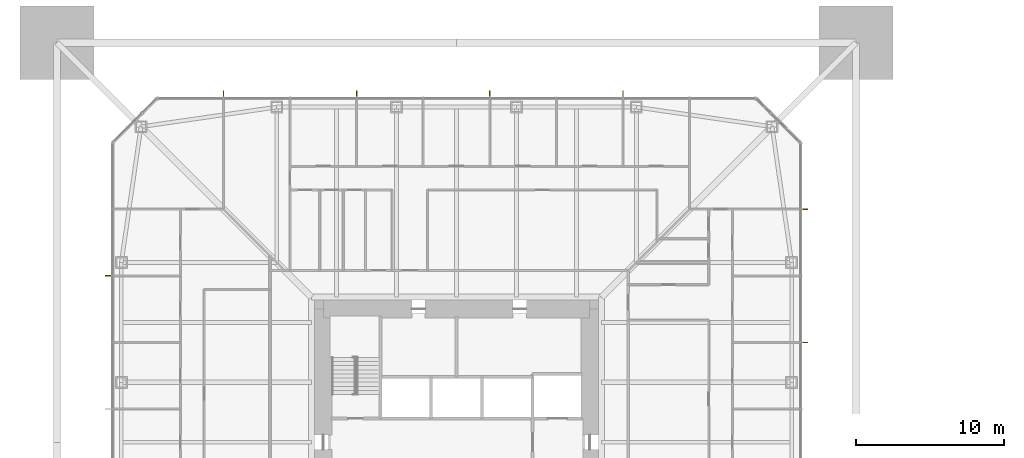
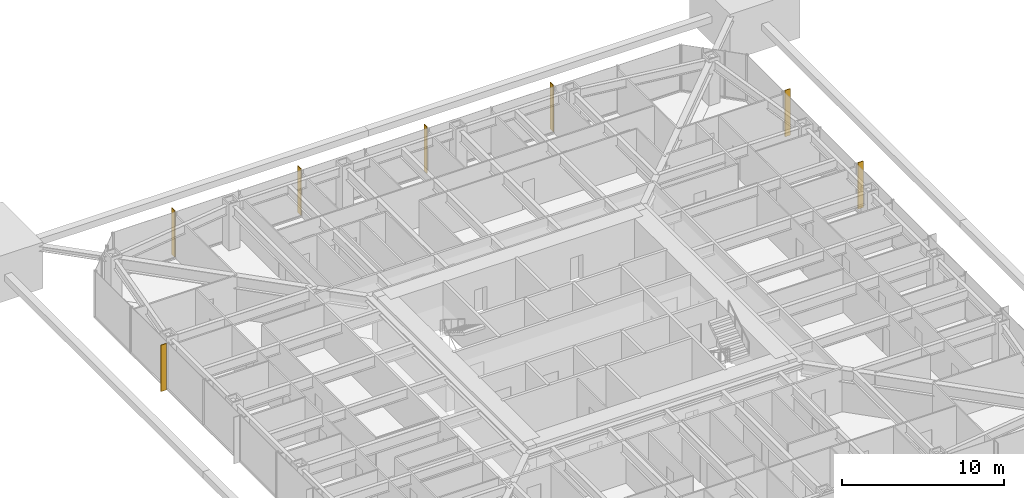
# One storey, part 26 of 27: 7 shading devices.
"""IFC4 building model written with IfcOpenShell, lengths in metres."""

import ifcopenshell
import ifcopenshell.guid

model = None  # the IFC model being written
_history = None  # IfcOwnerHistory: only IFC2X3 demands one
_inside = {}  # id of a spatial element -> (the spatial element, [elements in it])
_under = {}  # id of a project, library or spatial element -> (it, [spatial elements below it])
_declared = {}  # id of a project -> (the project, [libraries it declares])
_typed = {}  # id of a type object -> (the type object, [elements of that type])
_made_of = {}  # id of a material, layer set ... -> (it, [elements and type objects made of it])


def new_model(schema):
    """Start an empty IFC model of exactly this schema.

    Asked for "IFC4X3", IfcOpenShell would pick the latest addendum, in which some entities
    have other attributes; the version numbers below select the first issue.
    IFC2X3 requires an IfcOwnerHistory on every rooted entity: one is made here for all.
    """
    global model, _history
    if schema == "IFC4X3":
        model = ifcopenshell.file(schema_version=(4, 3, 0, 0))
    else:
        model = ifcopenshell.file(schema=schema)
    _inside.clear()
    _under.clear()
    _declared.clear()
    _typed.clear()
    _made_of.clear()
    _history = None
    if model.schema == "IFC2X3":
        org = make("IfcOrganization", Name="unknown")
        user = make(
            "IfcPersonAndOrganization",
            ThePerson=make("IfcPerson", FamilyName="unknown"),
            TheOrganization=org,
        )
        app = make(
            "IfcApplication",
            ApplicationDeveloper=org,
            Version="unknown",
            ApplicationFullName="unknown",
            ApplicationIdentifier="unknown",
        )
        _history = make(
            "IfcOwnerHistory",
            OwningUser=user,
            OwningApplication=app,
            ChangeAction="ADDED",
            CreationDate=0,
        )
    return model


def make(cls, **values):
    """One entity of the class cls with the attributes given. An attribute that is None is left unset."""
    return model.create_entity(
        cls, **{name: value for name, value in values.items() if value is not None}
    )


def rooted(cls, **values):
    """An entity with a GlobalId (a new one), such as an element, a storey or a relation."""
    return make(cls, GlobalId=ifcopenshell.guid.new(), OwnerHistory=_history, **values)


def si_unit(unit_type, name, prefix=None):
    """IfcSIUnit, for example si_unit("LENGTHUNIT", "METRE", prefix="MILLI")."""
    return make("IfcSIUnit", UnitType=unit_type, Prefix=prefix, Name=name)


def assignment(units):
    """IfcUnitAssignment: the units of a project."""
    return None if units is None else make("IfcUnitAssignment", Units=units)


def point(xyz):
    """IfcCartesianPoint."""
    return None if xyz is None else make("IfcCartesianPoint", Coordinates=xyz)


def direction(xyz):
    """IfcDirection."""
    return None if xyz is None else make("IfcDirection", DirectionRatios=xyz)


def frame(location, z_axis=None, x_axis=None):
    """IfcAxis2Placement3D, a coordinate frame: its origin and axes. An axis left out is left unset."""
    return make(
        "IfcAxis2Placement3D",
        Location=point(location),
        Axis=direction(z_axis),
        RefDirection=direction(x_axis),
    )


def frame_2d(location, x_axis=None):
    """IfcAxis2Placement2D, a coordinate frame in the plane: its origin and x axis."""
    return make(
        "IfcAxis2Placement2D", Location=point(location), RefDirection=direction(x_axis)
    )


def origin():
    """The frame at (0, 0, 0) with its axes left unset."""
    return frame((0.0, 0.0, 0.0))


def origin_2d():
    """The frame at (0, 0) in the plane with its x axis left unset."""
    return frame_2d((0.0, 0.0))


def place(relative_to, where):
    """IfcLocalPlacement: puts the frame where relative to a parent placement (None: the world)."""
    return make(
        "IfcLocalPlacement", PlacementRelTo=relative_to, RelativePlacement=where
    )


def context(
    kind, dimensions, precision=None, world=None, true_north=None, identifier=None
):
    """IfcGeometricRepresentationContext, for example the 3D "Model" context."""
    return make(
        "IfcGeometricRepresentationContext",
        ContextIdentifier=identifier,
        ContextType=kind,
        CoordinateSpaceDimension=dimensions,
        Precision=precision,
        WorldCoordinateSystem=world,
        TrueNorth=true_north,
    )


def subcontext(parent, identifier, kind, view, scale=None):
    """IfcGeometricRepresentationSubContext, for example "Body" below "Model"."""
    return make(
        "IfcGeometricRepresentationSubContext",
        ContextIdentifier=identifier,
        ContextType=kind,
        ParentContext=parent,
        TargetScale=scale,
        TargetView=view,
    )


def project(units=None, contexts=None):
    """IfcProject with its units and contexts."""
    return rooted(
        "IfcProject",
        Name="project",
        RepresentationContexts=contexts,
        UnitsInContext=assignment(units),
    )


def spatial(cls, under=None, at=None, **own):
    """A site, building, storey or space (cls), placed at a placement, below another one or the project."""
    s = rooted(cls, ObjectPlacement=at, **own)
    if under is not None:
        _under.setdefault(under.id(), (under, []))[1].append(s)
    return s


def profile(cls, at=None, kind="AREA", **sizes):
    """A parametric profile (cls). Its sizes go by their IFC names, for example OverallWidth=200.0."""
    return make(cls, ProfileType=kind, Position=at, **sizes)


def rectangle(**sizes):
    """IfcRectangleProfileDef."""
    return profile("IfcRectangleProfileDef", **sizes)


def extrude(swept, where, along, depth):
    """IfcExtrudedAreaSolid: the profile swept, set in the frame where, extruded along a direction by depth."""
    return make(
        "IfcExtrudedAreaSolid",
        SweptArea=swept,
        Position=where,
        ExtrudedDirection=direction(along),
        Depth=depth,
    )


def shape(context_of_items, identifier, shape_type, items):
    """IfcShapeRepresentation: the items that make up one representation, for example the "Body"."""
    return make(
        "IfcShapeRepresentation",
        ContextOfItems=context_of_items,
        RepresentationIdentifier=identifier,
        RepresentationType=shape_type,
        Items=items,
    )


def material(Name=None, Category=None):
    """IfcMaterial."""
    return make("IfcMaterial", Name=Name, Category=Category)


def layer(
    of_material, thickness, ventilated=None, Name=None, Category=None, Priority=None
):
    """IfcMaterialLayer: one layer of a wall or slab, of a material (None: an air gap)."""
    return make(
        "IfcMaterialLayer",
        Material=of_material,
        LayerThickness=thickness,
        IsVentilated=ventilated,
        Name=Name,
        Category=Category,
        Priority=Priority,
    )


def layer_set(layers, Name=None):
    """IfcMaterialLayerSet."""
    return make("IfcMaterialLayerSet", MaterialLayers=layers, LayerSetName=Name)


def made_of(thing, what):
    """Note that an element or type object is made of a material, layer set ...; save() writes the relation."""
    if what is not None:
        _made_of.setdefault(what.id(), (what, []))[1].append(thing)
    return thing


def type_object(cls, material=None, **own):
    """A type object (cls), such as IfcWallType, which elements share."""
    return made_of(rooted(cls, **own), material)


def element(
    cls,
    number,
    at=None,
    inside=None,
    cuts=None,
    type_object=None,
    material=None,
    context=None,
    identifier="Body",
    shape_type=None,
    held_by="IfcProductDefinitionShape",
    body=None,
    shapes=None,
    **own,
):
    """One element of the class cls, such as IfcWall. Its Tag is "e" and its number.

    at: its placement. inside: the storey or other place that contains it. cuts: it is an
    opening in that element (IfcRelVoidsElement). A single representation is given by context,
    identifier, shape_type and body (its items); several are given by shapes. held_by: the class
    of the entity that holds the representations. save() writes the other relations.
    """
    e = rooted(cls, Tag="e%d" % number, ObjectPlacement=at, **own)
    if body is not None:
        shapes = [shape(context, identifier, shape_type, body)]
    if shapes is not None:
        e.Representation = make(held_by, Representations=shapes)
    if inside is not None:
        _inside.setdefault(inside.id(), (inside, []))[1].append(e)
    if cuts is not None:
        rooted(
            "IfcRelVoidsElement", RelatingBuildingElement=cuts, RelatedOpeningElement=e
        )
    if type_object is not None:
        _typed.setdefault(type_object.id(), (type_object, []))[1].append(e)
    return made_of(e, material)


def aggregate(whole, parts):
    """IfcRelAggregates: a whole, such as a stair, and the parts it consists of."""
    return rooted("IfcRelAggregates", RelatingObject=whole, RelatedObjects=parts)


def save(model, path):
    """Write the relations noted so far, then the file.

    IfcRelAggregates (storeys below a building ...), IfcRelContainedInSpatialStructure (elements
    in a storey), IfcRelDefinesByType, IfcRelAssociatesMaterial and IfcRelDeclares: one each for
    every whole, place, type object, material and project.
    """
    for whole, parts in _under.values():
        aggregate(whole, parts)
    for where, things in _inside.values():
        rooted(
            "IfcRelContainedInSpatialStructure",
            RelatedElements=things,
            RelatingStructure=where,
        )
    for kind, things in _typed.values():
        rooted("IfcRelDefinesByType", RelatedObjects=things, RelatingType=kind)
    for what, things in _made_of.values():
        rooted("IfcRelAssociatesMaterial", RelatedObjects=things, RelatingMaterial=what)
    for by, libraries in _declared.values():
        rooted("IfcRelDeclares", RelatingContext=by, RelatedDefinitions=libraries)
    model.write(path)


model = new_model("IFC4")

# Units and contexts
model_context = context("Model", 3, precision=1e-05, world=origin(), true_north=direction((0.0, 1.0)))
body_context = subcontext(model_context, "Body", "Model", "MODEL_VIEW")
ifc_project = project(units=[si_unit("LENGTHUNIT", "METRE"), si_unit("AREAUNIT", "SQUARE_METRE"), si_unit("VOLUMEUNIT", "CUBIC_METRE"), si_unit("PLANEANGLEUNIT", "RADIAN"), si_unit("MASSUNIT", "GRAM", prefix="KILO")], contexts=[model_context])

# Site, building, storey
site_placement = place(None, origin())
site = spatial("IfcSite", under=ifc_project, at=site_placement, CompositionType="ELEMENT")
building_placement = place(site_placement, origin())
building = spatial("IfcBuilding", under=site, at=building_placement, Name="Iwan Alto Co-Living Towers", CompositionType="ELEMENT")
storey_placement = place(building_placement, frame((0.0, 0.0, 53.5)))
storey = spatial("IfcBuildingStorey", under=building, at=storey_placement, Name="L14", CompositionType="ELEMENT", Elevation=53.5)

# Shading devices
ifc_material = material(Name="Aluminium 6063-T6 bronze anodised", Category="aluminium")
ifc_layer = layer(ifc_material, 0.050048828125)
ifc_layer_set = layer_set([ifc_layer], Name="BRONZE FIN 50X400")
shading_device_type = type_object("IfcShadingDeviceType", Name="BRONZE FIN 50X400", PredefinedType="USERDEFINED", material=ifc_layer_set)
for number, where, z_axis, x_axis, name in (
    (1, (23.550048828125, 6.75, 0.0), (0.0, 0.0, 1.0), (0.0, 1.0, 0.0), "Bronze fin L14"),
    (2, (23.550048828125, 15.75, 0.0), (0.0, 0.0, 1.0), (0.0, 1.0, 0.0), "Bronze fin L14"),
    (3, (11.25, 23.550048828125, 0.0), (0.0, 0.0, 1.0), (-1.0, 0.0, 0.0), "Bronze fin L14"),
    (4, (2.25, 23.550048828125, 0.0), (0.0, 0.0, 1.0), (-1.0, 0.0, 0.0), "Bronze fin L14"),
    (5, (-6.75, 23.550048828125, 0.0), (0.0, 0.0, 1.0), (-1.0, 0.0, 0.0), "Bronze fin L14"),
    (6, (-15.75, 23.550048828125, 0.0), (0.0, 0.0, 1.0), (-1.0, 0.0, 0.0), "Bronze fin L14"),
    (7, (-23.550048828125, 11.25, 0.0), (0.0, 0.0, 1.0), (0.0, -1.0, 0.0), "Bronze fin L14"),
):
    element("IfcShadingDevice", number, at=place(storey_placement, frame(where, z_axis=z_axis, x_axis=x_axis)), inside=storey, type_object=shading_device_type, Name=name, ObjectType="LOUVER", PredefinedType="USERDEFINED", context=body_context, shape_type="SweptSolid", body=[
        extrude(rectangle(XDim=0.050048828125, YDim=0.39990234375, at=origin_2d()), origin(), (0.0, 0.0, 1.0), 3.5),
    ])

save(model, "model.ifc")
